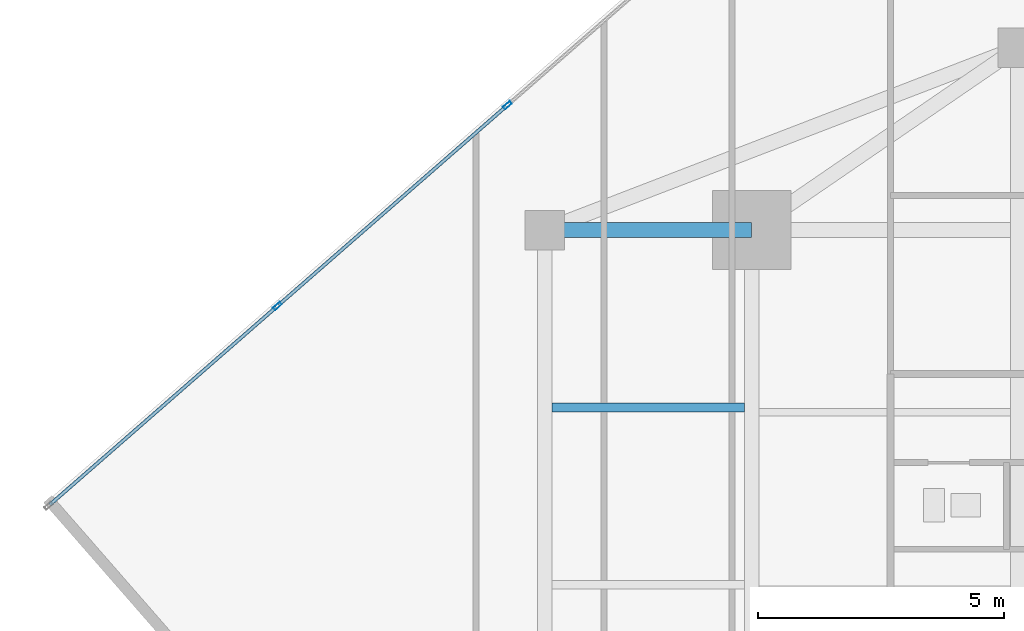
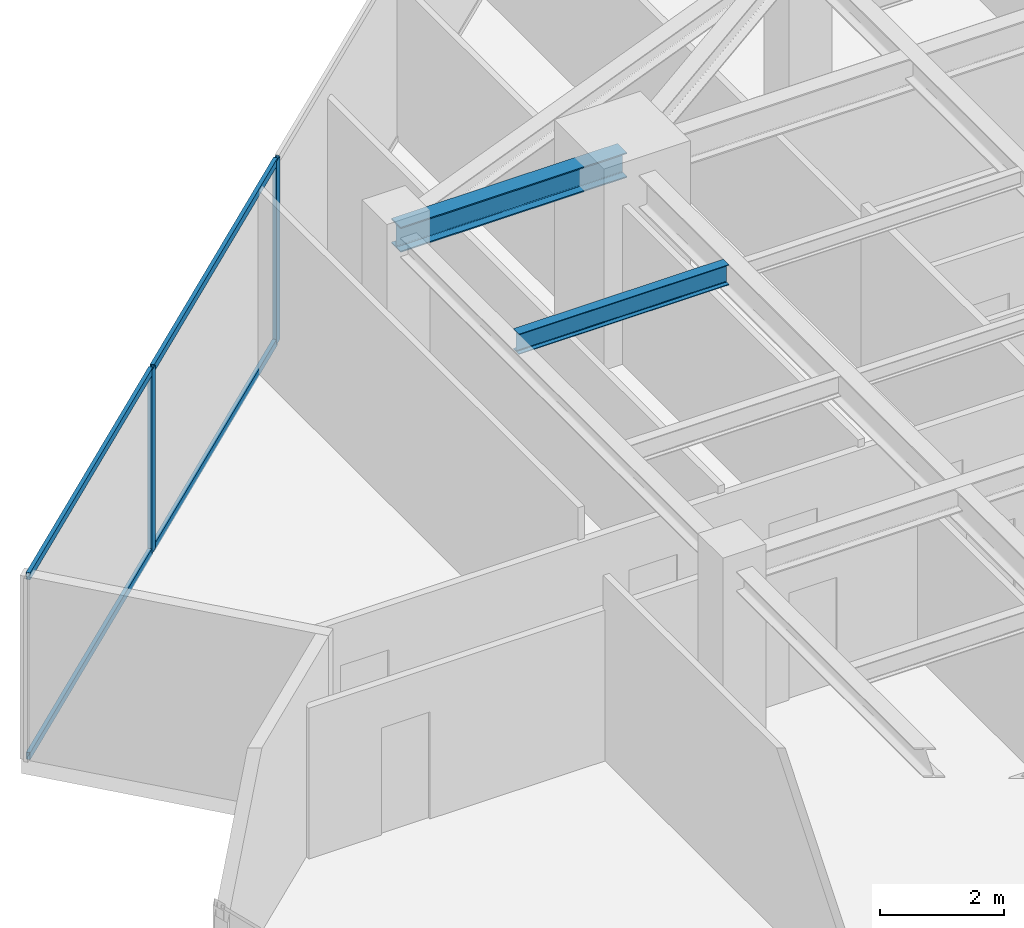
# One storey, part 13 of 24: 6 members, 2 beams, 1 element without a shape of its own.
"""IFC4 building model written with IfcOpenShell, lengths in metres."""

from ifc_helpers import new_model, si_unit, direction, frame, origin, origin_2d, place, context, subcontext, project, spatial, hollow_rectangle, i_section, extrude, source, transform, mapped, material, material_profile, profile_set, type_object, type_shapes, element, aggregate, save


model = new_model("IFC4")

# Units and contexts
model_context = context("Model", 3, precision=1e-05, world=origin(), true_north=direction((0.0, 1.0)))
body_context = subcontext(model_context, "Body", "Model", "MODEL_VIEW")
ifc_project = project(units=[si_unit("LENGTHUNIT", "METRE"), si_unit("AREAUNIT", "SQUARE_METRE"), si_unit("VOLUMEUNIT", "CUBIC_METRE"), si_unit("PLANEANGLEUNIT", "RADIAN"), si_unit("MASSUNIT", "GRAM", prefix="KILO")], contexts=[model_context])

# Site, building, storey
site_placement = place(None, origin())
site = spatial("IfcSite", under=ifc_project, at=site_placement, CompositionType="ELEMENT")
building_placement = place(site_placement, origin())
building = spatial("IfcBuilding", under=site, at=building_placement, Name="Krantzveldt Concourse Tower", CompositionType="ELEMENT")
storey_placement = place(building_placement, frame((0.0, 0.0, 258.64990234375)))
storey = spatial("IfcBuildingStorey", under=building, at=storey_placement, Name="L63", CompositionType="ELEMENT", Elevation=258.64990234375)

# Beams
ifc_material_1 = material(Name="Steel S355JR", Category="steel")
ifc_material_profile_1 = material_profile(ifc_material_1, i_section(OverallWidth=0.300048828125, OverallDepth=0.489990234375, WebThickness=0.011962890625, FlangeThickness=0.02294921875, FilletRadius=0.027099609375, at=origin_2d()), Name="Steel S355JR", Category="steel")
ifc_profile_set_1 = profile_set([ifc_material_profile_1], Name="Steel S355JR - HEA 500")
beam_type_1 = type_object("IfcBeamType", Name="BM-B-HEA500", PredefinedType="BEAM", material=ifc_profile_set_1)
shared_shape_1 = source(origin(), body_context, "Body", "SweptSolid", [
    extrude(i_section(OverallWidth=0.300048828125, OverallDepth=0.489990234375, WebThickness=0.011962890625, FlangeThickness=0.02294921875, FilletRadius=0.027099609375, at=origin_2d()), origin(), (0.0, 0.0, 1.0), 4.199951171875),
])
type_shapes(beam_type_1, [shared_shape_1])
beam_1_placement = place(storey_placement, frame((21.0, 37.5, 3.35498046875), z_axis=(1.0, 0.0, 0.0), x_axis=(0.0, 1.0, 0.0)))
element("IfcBeam", 1, at=beam_1_placement, inside=storey, type_object=beam_type_1, Name="L63 Tower Girder BR-RL3", PredefinedType="BEAM", context=body_context, shape_type="MappedRepresentation", body=[
    mapped(shared_shape_1, transform((0.0, 0.0, 0.0), x_axis=(1.0, 0.0, 0.0), y_axis=(0.0, 1.0, 0.0), z_axis=(0.0, 0.0, 1.0), scale=1.0)),
])
ifc_material_profile_2 = material_profile(ifc_material_1, i_section(OverallWidth=0.179931640625, OverallDepth=0.39990234375, WebThickness=0.008544921875, FlangeThickness=0.013427734375, FilletRadius=0.02099609375, at=origin_2d()), Name="Steel S355JR", Category="steel")
ifc_profile_set_2 = profile_set([ifc_material_profile_2], Name="Steel S355JR - IPE 400")
beam_type_2 = type_object("IfcBeamType", Name="BM-J-IPE400", PredefinedType="JOIST", material=ifc_profile_set_2)
shared_shape_2 = source(origin(), body_context, "Body", "SweptSolid", [
    extrude(i_section(OverallWidth=0.179931640625, OverallDepth=0.39990234375, WebThickness=0.008544921875, FlangeThickness=0.013427734375, FilletRadius=0.02099609375, at=origin_2d()), origin(), (0.0, 0.0, 1.0), 3.900146484375),
])
type_shapes(beam_type_2, [shared_shape_2])
beam_2_placement = place(storey_placement, frame((21.14990234375, 33.89990234375, 3.400146484375), z_axis=(1.0, 0.0, 0.0), x_axis=(0.0, 1.0, 0.0)))
element("IfcBeam", 2, at=beam_2_placement, inside=storey, type_object=beam_type_2, Name="L63 Secondary Floor Joist JW-4", PredefinedType="JOIST", context=body_context, shape_type="MappedRepresentation", body=[
    mapped(shared_shape_2, transform((0.0, 0.0, 0.0), x_axis=(1.0, 0.0, 0.0), y_axis=(0.0, 1.0, 0.0), z_axis=(0.0, 0.0, 1.0), scale=1.0)),
])

# Curtain wall, members
ifc_material_2 = material(Name="Anodised aluminium 6063-T6", Category="aluminium")
curtain_wall_type = type_object("IfcCurtainWallType", Name="CW3", PredefinedType="USERDEFINED", material=ifc_material_2)
curtain_wall_placement = place(storey_placement, origin())
curtain_wall = element("IfcCurtainWall", 3, at=curtain_wall_placement, inside=storey, type_object=curtain_wall_type, Name="CW-L63-F01", ObjectType="UNITISED CURTAIN WALL", PredefinedType="USERDEFINED")
ifc_material_profile_3 = material_profile(ifc_material_2, hollow_rectangle(XDim=0.070068359375, YDim=0.179931640625, WallThickness=0.0048828125, at=origin_2d()), Name="Anodised aluminium 6063-T6", Category="aluminium")
ifc_profile_set_3 = profile_set([ifc_material_profile_3], Name="Anodised aluminium 6063-T6 - ALU-MULL 180x70x5")
member_type_1 = type_object("IfcMemberType", Name="CW-MUL-180", PredefinedType="MULLION", material=ifc_profile_set_3)
shared_shape_3 = source(origin(), body_context, "Body", "SweptSolid", [
    extrude(hollow_rectangle(XDim=0.070068359375, YDim=0.179931640625, WallThickness=0.0048828125, at=origin_2d()), origin(), (0.0, 0.0, 1.0), 3.60009765625),
])
type_shapes(member_type_1, [shared_shape_3])
member_1_placement = place(storey_placement, frame((20.2412109375, 40.035400390625, 0.0), z_axis=(0.0, 0.0, 1.0), x_axis=(0.657703938567, -0.753276529034, 0.0)))
member_1 = element("IfcMember", 4, at=member_1_placement, type_object=member_type_1, Name="CW-Z34 mullion 4", PredefinedType="MULLION", context=body_context, shape_type="MappedRepresentation", body=[
    mapped(shared_shape_3, transform((0.0, 0.0, 0.0), x_axis=(1.0, 0.0, 0.0), y_axis=(0.0, 1.0, 0.0), z_axis=(0.0, 0.0, 1.0), scale=1.0)),
])
member_2_placement = place(storey_placement, frame((15.57080078125, 35.957763671875, 0.0), z_axis=(0.0, 0.0, 1.0), x_axis=(0.657703938567, -0.753276529034, 0.0)))
member_2 = element("IfcMember", 5, at=member_2_placement, type_object=member_type_1, Name="CW-Z34 mullion 5", PredefinedType="MULLION", context=body_context, shape_type="MappedRepresentation", body=[
    mapped(shared_shape_3, transform((0.0, 0.0, 0.0), x_axis=(1.0, 0.0, 0.0), y_axis=(0.0, 1.0, 0.0), z_axis=(0.0, 0.0, 1.0), scale=1.0)),
])
ifc_material_profile_4 = material_profile(ifc_material_2, hollow_rectangle(XDim=0.070068359375, YDim=0.139892578125, WallThickness=0.0048828125, at=origin_2d()), Name="Anodised aluminium 6063-T6", Category="aluminium")
ifc_profile_set_4 = profile_set([ifc_material_profile_4], Name="Anodised aluminium 6063-T6 - ALU-TRAN 140x70x5")
member_type_2 = type_object("IfcMemberType", Name="CW-TRN-150", PredefinedType="USERDEFINED", material=ifc_profile_set_4)
shared_shape_4 = source(origin(), body_context, "Body", "SweptSolid", [
    extrude(hollow_rectangle(XDim=0.070068359375, YDim=0.139892578125, WallThickness=0.0048828125, at=origin_2d()), origin(), (0.0, 0.0, 1.0), 6.130126953125),
])
member_3_placement = place(storey_placement, frame((20.21484375, 40.012451171875, 0.03515625), z_axis=(-0.753281864593, -0.657697827635, 0.0), x_axis=(0.657697827635, -0.753281864593, 0.0)))
member_3 = element("IfcMember", 6, at=member_3_placement, type_object=member_type_2, Name="CW-Z34 transom 4.1", ObjectType="TRANSOM", PredefinedType="USERDEFINED", context=body_context, shape_type="MappedRepresentation", body=[
    mapped(shared_shape_4, transform((0.0, 0.0, 0.0), x_axis=(1.0, 0.0, 0.0), y_axis=(0.0, 1.0, 0.0), z_axis=(0.0, 0.0, 1.0), scale=1.0)),
])
member_4_placement = place(storey_placement, frame((20.21484375, 40.012451171875, 3.565185546875), z_axis=(-0.753281864593, -0.657697827635, 0.0), x_axis=(0.657697827635, -0.753281864593, 0.0)))
member_4 = element("IfcMember", 7, at=member_4_placement, type_object=member_type_2, Name="CW-Z34 transom 4.2", ObjectType="TRANSOM", PredefinedType="USERDEFINED", context=body_context, shape_type="MappedRepresentation", body=[
    mapped(shared_shape_4, transform((0.0, 0.0, 0.0), x_axis=(1.0, 0.0, 0.0), y_axis=(0.0, 1.0, 0.0), z_axis=(0.0, 0.0, 1.0), scale=1.0)),
])
shared_shape_5 = source(origin(), body_context, "Body", "SweptSolid", [
    extrude(hollow_rectangle(XDim=0.070068359375, YDim=0.139892578125, WallThickness=0.0048828125, at=origin_2d()), origin(), (0.0, 0.0, 1.0), 6.09521484375),
])
type_shapes(member_type_2, [shared_shape_4, shared_shape_5])
member_5_placement = place(storey_placement, frame((15.54443359375, 35.934814453125, 0.03515625), z_axis=(-0.75327599324, -0.657704552218, 0.0), x_axis=(0.657704552218, -0.75327599324, 0.0)))
member_5 = element("IfcMember", 8, at=member_5_placement, type_object=member_type_2, Name="CW-Z34 transom 5.1", ObjectType="TRANSOM", PredefinedType="USERDEFINED", context=body_context, shape_type="MappedRepresentation", body=[
    mapped(shared_shape_5, transform((0.0, 0.0, 0.0), x_axis=(1.0, 0.0, 0.0), y_axis=(0.0, 1.0, 0.0), z_axis=(0.0, 0.0, 1.0), scale=1.0)),
])
member_6_placement = place(storey_placement, frame((15.54443359375, 35.934814453125, 3.565185546875), z_axis=(-0.75327599324, -0.657704552218, 0.0), x_axis=(0.657704552218, -0.75327599324, 0.0)))
member_6 = element("IfcMember", 9, at=member_6_placement, type_object=member_type_2, Name="CW-Z34 transom 5.2", ObjectType="TRANSOM", PredefinedType="USERDEFINED", context=body_context, shape_type="MappedRepresentation", body=[
    mapped(shared_shape_5, transform((0.0, 0.0, 0.0), x_axis=(1.0, 0.0, 0.0), y_axis=(0.0, 1.0, 0.0), z_axis=(0.0, 0.0, 1.0), scale=1.0)),
])
aggregate(curtain_wall, [member_1, member_2, member_3, member_4, member_5, member_6])

save(model, "model.ifc")
